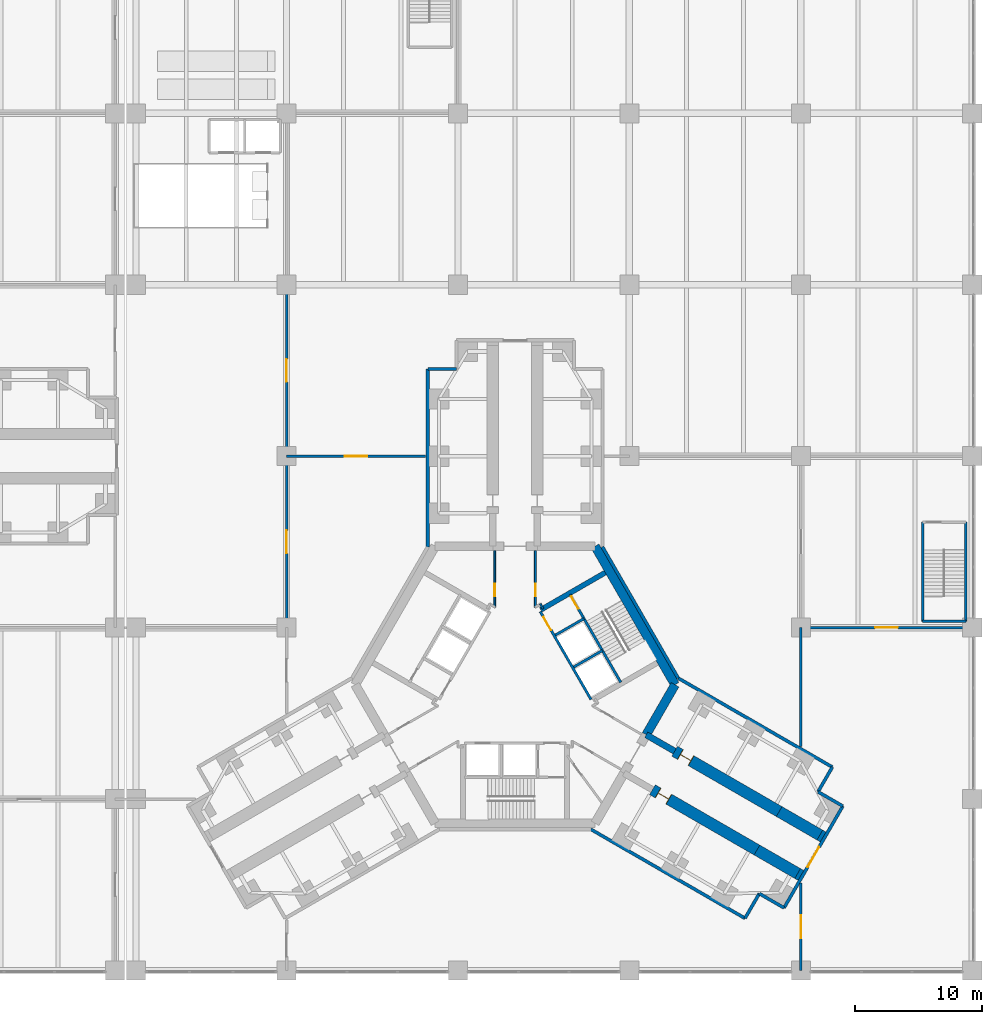
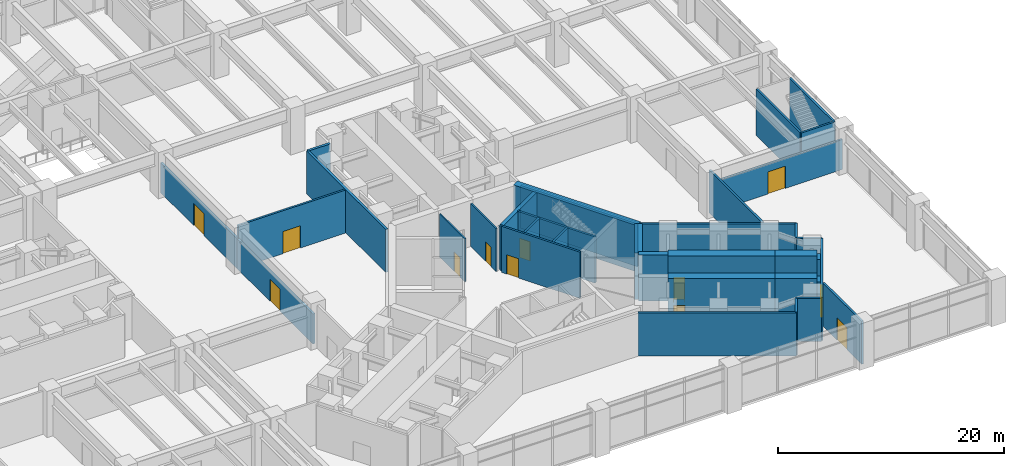
# One storey, part 26 of 32: 36 walls, 12 doors, 12 openings.
"""IFC4 building model written with IfcOpenShell, lengths in metres."""

from ifc_helpers import new_model, si_unit, direction, frame, frame_2d, origin, place, context, subcontext, project, spatial, rectangle, extrude, material, layer, layer_set, type_object, element, fill, save


model = new_model("IFC4")

# Units and contexts
model_context = context("Model", 3, precision=1e-05, world=origin(), true_north=direction((0.0, 1.0)))
body_context = subcontext(model_context, "Body", "Model", "MODEL_VIEW")
ifc_project = project(units=[si_unit("LENGTHUNIT", "METRE"), si_unit("AREAUNIT", "SQUARE_METRE"), si_unit("VOLUMEUNIT", "CUBIC_METRE"), si_unit("PLANEANGLEUNIT", "RADIAN"), si_unit("MASSUNIT", "GRAM", prefix="KILO")], contexts=[model_context])

# Site, building, storey
site_placement = place(None, origin())
site = spatial("IfcSite", under=ifc_project, at=site_placement, CompositionType="ELEMENT")
building_placement = place(site_placement, origin())
building = spatial("IfcBuilding", under=site, at=building_placement, Name="Upepo Twin Towers", CompositionType="ELEMENT")
storey_placement = place(building_placement, frame((0.0, 0.0, 5.5)))
storey = spatial("IfcBuildingStorey", under=building, at=storey_placement, Name="L01", CompositionType="ELEMENT", Elevation=5.5)

# Walls
ifc_material_1 = material(Name="Dense concrete blockwork", Category="masonry")
ifc_layer_1 = layer(ifc_material_1, 0.89990234375)
ifc_layer_set_1 = layer_set([ifc_layer_1], Name="Buttress closer 900, blockwork with fire-stopping to the curtain wall")
wall_type_1 = type_object("IfcWallType", Name="Buttress closer 900, blockwork with fire-stopping to the curtain wall", PredefinedType="PARTITIONING", material=ifc_layer_set_1)
wall_1_placement = place(storey_placement, frame((82.497802734375, -29.83447265625, 0.0), z_axis=(0.0, 0.0, 1.0), x_axis=(0.866131372301, -0.499816412211, 0.0)))
element("IfcWall", 1, at=wall_1_placement, inside=storey, type_object=wall_type_1, Name="T2 L01 wing C buttress closer L", PredefinedType="PARTITIONING", context=body_context, shape_type="SweptSolid", body=[
    extrude(rectangle(XDim=0.2998046875, YDim=0.89990234375, at=frame_2d((0.14990234375, 0.0))), origin(), (0.0, 0.0, 1.0), 4.64990234375),
])
wall_2_placement = place(storey_placement, frame((80.747802734375, -32.865478515625, 0.0), z_axis=(0.0, 0.0, 1.0), x_axis=(0.865778900179, -0.500426713919, 0.0)))
element("IfcWall", 2, at=wall_2_placement, inside=storey, type_object=wall_type_1, Name="T2 L01 wing C buttress closer R", PredefinedType="PARTITIONING", context=body_context, shape_type="SweptSolid", body=[
    extrude(rectangle(XDim=0.300048828125, YDim=0.89990234375, at=frame_2d((0.14990234375, 0.0))), origin(), (0.0, 0.0, 1.0), 4.64990234375),
])
ifc_material_2 = material(Name="Concrete C60/75", Category="concrete")
ifc_layer_2 = layer(ifc_material_2, 0.5)
ifc_layer_set_2 = layer_set([ifc_layer_2], Name="Concrete C60/75")
wall_type_2 = type_object("IfcWallType", Name="Buttress wall 500 RC", PredefinedType="SHEAR", material=ifc_layer_set_2)
wall_3_placement = place(storey_placement, frame((68.82177734375, -21.938720703125, 0.0), z_axis=(0.0, 0.0, 1.0), x_axis=(0.866072649678, -0.499918158782, 0.0)))
element("IfcWall", 3, at=wall_3_placement, inside=storey, type_object=wall_type_2, Name="T2 wing C buttress wall L", PredefinedType="SHEAR", context=body_context, shape_type="SweptSolid", body=[
    extrude(rectangle(XDim=2.591796875, YDim=0.5, at=frame_2d((1.2958984375, 0.0))), origin(), (0.0, 0.0, 1.0), 5.0),
])

# Wall, opening, door
ifc_material_3 = material(Name="Concrete C60/75", Category="concrete")
ifc_layer_3 = layer(ifc_material_3, 0.89990234375)
ifc_layer_set_3 = layer_set([ifc_layer_3], Name="Concrete C60/75")
wall_type_3 = type_object("IfcWallType", Name="Buttress wall 900 RC", PredefinedType="SHEAR", material=ifc_layer_set_3)
wall_4_placement = place(storey_placement, frame((71.06640625, -23.234375, 0.0), z_axis=(0.0, 0.0, 1.0), x_axis=(0.86602681393, -0.499997557548, 0.0)))
wall_4 = element("IfcWall", 4, at=wall_4_placement, inside=storey, type_object=wall_type_3, Name="T2 wing C buttress wall L part 2", PredefinedType="SHEAR", context=body_context, shape_type="SweptSolid", body=[
    extrude(rectangle(XDim=9.5, YDim=0.89990234375, at=frame_2d((4.75, 0.0))), origin(), (0.0, 0.0, 1.0), 5.0),
])
opening_1_placement = place(wall_4_placement, frame((0.5, 0.0, 0.0)))
opening_1 = element("IfcOpeningElement", 5, at=opening_1_placement, cuts=wall_4, Name="Opening D1", PredefinedType="OPENING", context=body_context, shape_type="SweptSolid", body=[
    extrude(rectangle(XDim=1.0, YDim=2.10009765625, at=frame_2d((0.5, 1.050048828125))), frame((0.0, 0.4599609375, 0.0), z_axis=(0.0, -1.0, 0.0), x_axis=(1.0, 0.0, 0.0)), (0.0, 0.0, 1.0), 0.919921875),
])
ifc_material_4 = material(Name="Timber doorset", Category="wood")
door_type_1 = type_object("IfcDoorType", Name="Room door 1000 FD30", OperationType="SINGLE_SWING_LEFT", PredefinedType="DOOR", material=ifc_material_4)
door_1_placement = place(opening_1_placement, origin())
door_1 = element("IfcDoor", 6, at=door_1_placement, inside=storey, type_object=door_type_1, Name="T2 L01 faculty office door", OperationType="SINGLE_SWING_LEFT", OverallHeight=2.10009765625, OverallWidth=1.0, PredefinedType="DOOR", context=body_context, shape_type="SweptSolid", body=[
    extrude(rectangle(XDim=0.92, YDim=2.06009765625, at=frame_2d((0.5, 1.030029296875))), frame((0.0, 0.02490234375, 0.0), z_axis=(0.0, -1.0, 0.0), x_axis=(1.0, 0.0, 0.0)), (0.0, 0.0, 1.0), 0.050048828125),
    extrude(rectangle(XDim=0.04, YDim=2.10009765625, at=frame_2d((0.02001953125, 1.050048828125))), frame((0.0, 0.44970703125, 0.0), z_axis=(0.0, -1.0, 0.0), x_axis=(1.0, 0.0, 0.0)), (0.0, 0.0, 1.0), 0.8994140625),
    extrude(rectangle(XDim=0.04, YDim=2.10009765625, at=frame_2d((0.97998046875, 1.050048828125))), frame((0.0, 0.44970703125, 0.0), z_axis=(0.0, -1.0, 0.0), x_axis=(1.0, 0.0, 0.0)), (0.0, 0.0, 1.0), 0.8994140625),
    extrude(rectangle(XDim=0.92, YDim=0.04, at=frame_2d((0.5, 2.080078125))), frame((0.0, 0.44970703125, 0.0), z_axis=(0.0, -1.0, 0.0), x_axis=(1.0, 0.0, 0.0)), (0.0, 0.0, 1.0), 0.8994140625),
])
fill(opening_1, door_1)

# Wall
wall_5_placement = place(storey_placement, frame((79.293701171875, -27.984375, 0.0), z_axis=(0.0, 0.0, 1.0), x_axis=(0.866000971088, -0.500042316284, 0.0)))
element("IfcWall", 7, at=wall_5_placement, inside=storey, type_object=wall_type_3, Name="T2 wing C buttress wall L part 3", PredefinedType="SHEAR", context=body_context, shape_type="SweptSolid", body=[
    extrude(rectangle(XDim=3.699951171875, YDim=0.89990234375, at=frame_2d((1.85009765625, 0.0))), origin(), (0.0, 0.0, 1.0), 5.0),
])

# Wall, opening, door
wall_6_placement = place(storey_placement, frame((69.31640625, -26.265625, 0.0), z_axis=(0.0, 0.0, 1.0), x_axis=(0.86602681393, -0.499997557548, 0.0)))
wall_6 = element("IfcWall", 8, at=wall_6_placement, inside=storey, type_object=wall_type_3, Name="T2 wing C buttress wall R part 2", PredefinedType="SHEAR", context=body_context, shape_type="SweptSolid", body=[
    extrude(rectangle(XDim=9.5, YDim=0.89990234375, at=frame_2d((4.75, 0.0))), origin(), (0.0, 0.0, 1.0), 5.0),
])
opening_2_placement = place(wall_6_placement, frame((0.5, 0.0, 0.0)))
opening_2 = element("IfcOpeningElement", 9, at=opening_2_placement, cuts=wall_6, Name="Opening D1", PredefinedType="OPENING", context=body_context, shape_type="SweptSolid", body=[
    extrude(rectangle(XDim=1.0, YDim=2.10009765625, at=frame_2d((0.5, 1.050048828125))), frame((0.0, 0.4599609375, 0.0), z_axis=(0.0, -1.0, 0.0), x_axis=(1.0, 0.0, 0.0)), (0.0, 0.0, 1.0), 0.919921875),
])
door_2_placement = place(opening_2_placement, origin())
door_2 = element("IfcDoor", 10, at=door_2_placement, inside=storey, type_object=door_type_1, Name="T2 L01 faculty office door", OperationType="SINGLE_SWING_LEFT", OverallHeight=2.10009765625, OverallWidth=1.0, PredefinedType="DOOR", context=body_context, shape_type="SweptSolid", body=[
    extrude(rectangle(XDim=0.92, YDim=2.06009765625, at=frame_2d((0.5, 1.030029296875))), frame((0.0, 0.02490234375, 0.0), z_axis=(0.0, -1.0, 0.0), x_axis=(1.0, 0.0, 0.0)), (0.0, 0.0, 1.0), 0.050048828125),
    extrude(rectangle(XDim=0.04, YDim=2.10009765625, at=frame_2d((0.02001953125, 1.050048828125))), frame((0.0, 0.44970703125, 0.0), z_axis=(0.0, -1.0, 0.0), x_axis=(1.0, 0.0, 0.0)), (0.0, 0.0, 1.0), 0.8994140625),
    extrude(rectangle(XDim=0.04, YDim=2.10009765625, at=frame_2d((0.97998046875, 1.050048828125))), frame((0.0, 0.44970703125, 0.0), z_axis=(0.0, -1.0, 0.0), x_axis=(1.0, 0.0, 0.0)), (0.0, 0.0, 1.0), 0.8994140625),
    extrude(rectangle(XDim=0.92, YDim=0.04, at=frame_2d((0.5, 2.080078125))), frame((0.0, 0.44970703125, 0.0), z_axis=(0.0, -1.0, 0.0), x_axis=(1.0, 0.0, 0.0)), (0.0, 0.0, 1.0), 0.8994140625),
])
fill(opening_2, door_2)

# Walls
wall_7_placement = place(storey_placement, frame((77.543701171875, -31.015625, 0.0), z_axis=(0.0, 0.0, 1.0), x_axis=(0.866029545028, -0.499992827086, 0.0)))
element("IfcWall", 11, at=wall_7_placement, inside=storey, type_object=wall_type_3, Name="T2 wing C buttress wall R part 3", PredefinedType="SHEAR", context=body_context, shape_type="SweptSolid", body=[
    extrude(rectangle(XDim=3.69970703125, YDim=0.89990234375, at=frame_2d((1.849853515625, 0.0))), origin(), (0.0, 0.0, 1.0), 5.0),
])
ifc_material_5 = material(Name="Concrete C60/75", Category="concrete")
ifc_layer_4 = layer(ifc_material_5, 0.699951171875)
ifc_layer_set_4 = layer_set([ifc_layer_4], Name="Concrete C60/75")
wall_type_4 = type_object("IfcWallType", Name="Core wall 700 RC", PredefinedType="SHEAR", material=ifc_layer_set_4)
wall_8_placement = place(storey_placement, frame((68.82177734375, -21.938720703125, 0.0), z_axis=(0.0, 0.0, 1.0), x_axis=(0.500024481964, 0.866011268655, 0.0)))
element("IfcWall", 12, at=wall_8_placement, inside=storey, type_object=wall_type_4, Name="T2 core wall 240 L", PredefinedType="SHEAR", context=body_context, shape_type="SweptSolid", body=[
    extrude(rectangle(XDim=4.548095703125, YDim=0.699951171875, at=frame_2d((2.27392578125, 0.0))), origin(), (0.0, 0.0, 1.0), 5.0),
])
wall_9_placement = place(storey_placement, frame((71.095947265625, -18.0, 0.0), z_axis=(0.0, 0.0, 1.0), x_axis=(-0.500005998175, 0.866021940709, 0.0)))
element("IfcWall", 13, at=wall_9_placement, inside=storey, type_object=wall_type_4, Name="T2 core wall 300", PredefinedType="SHEAR", context=body_context, shape_type="SweptSolid", body=[
    extrude(rectangle(XDim=12.595947265625, YDim=0.699951171875, at=frame_2d((6.2978515625, 0.0))), origin(), (0.0, 0.0, 1.0), 5.0),
])

# Wall, opening, door
ifc_material_6 = material(Name="Concrete blockwork", Category="masonry")
ifc_layer_5 = layer(ifc_material_6, 0.199951171875)
ifc_layer_set_5 = layer_set([ifc_layer_5], Name="Podium partition 200 blockwork")
wall_type_5 = type_object("IfcWallType", Name="Podium partition 200 blockwork", PredefinedType="PARTITIONING", material=ifc_layer_set_5)
wall_10_placement = place(storey_placement, frame((40.5, -13.5, 0.0), z_axis=(0.0, 0.0, 1.0), x_axis=(0.0, 1.0, 0.0)))
wall_10 = element("IfcWall", 14, at=wall_10_placement, inside=storey, type_object=wall_type_5, Name="L01 podium wall X52", PredefinedType="PARTITIONING", context=body_context, shape_type="SweptSolid", body=[
    extrude(rectangle(XDim=13.5, YDim=0.199951171875, at=frame_2d((6.75, 0.0))), origin(), (0.0, 0.0, 1.0), 3.25),
])
opening_3_placement = place(wall_10_placement, frame((5.85009765625, 0.0, 0.0)))
opening_3 = element("IfcOpeningElement", 15, at=opening_3_placement, cuts=wall_10, Name="Opening D10", PredefinedType="OPENING", context=body_context, shape_type="SweptSolid", body=[
    extrude(rectangle(XDim=1.800048828125, YDim=2.39990234375, at=frame_2d((0.89990234375, 1.199951171875))), frame((0.0, 0.10986328125, 0.0), z_axis=(0.0, -1.0, 0.0), x_axis=(1.0, 0.0, 0.0)), (0.0, 0.0, 1.0), 0.219970703125),
])
ifc_material_7 = material(Name="Timber doorset", Category="wood")
door_type_2 = type_object("IfcDoorType", Name="Podium double door 1800", OperationType="DOUBLE_DOOR_DOUBLE_SWING", PredefinedType="DOOR", material=ifc_material_7)
door_3_placement = place(opening_3_placement, origin())
door_3 = element("IfcDoor", 16, at=door_3_placement, inside=storey, type_object=door_type_2, Name="L01 library stacks 1.01 annex 3 door", OperationType="DOUBLE_DOOR_DOUBLE_SWING", OverallHeight=2.39990234375, OverallWidth=1.800048828125, PredefinedType="DOOR", context=body_context, shape_type="SweptSolid", body=[
    extrude(rectangle(XDim=1.800048828125, YDim=2.39990234375, at=frame_2d((0.89990234375, 1.199951171875))), frame((0.0, 0.02490234375, 0.0), z_axis=(0.0, -1.0, 0.0), x_axis=(1.0, 0.0, 0.0)), (0.0, 0.0, 1.0), 0.050048828125),
])
fill(opening_3, door_3)

wall_11_placement = place(storey_placement, frame((40.5, 0.0, 0.0), z_axis=(0.0, 0.0, 1.0), x_axis=(0.0, 1.0, 0.0)))
wall_11 = element("IfcWall", 17, at=wall_11_placement, inside=storey, type_object=wall_type_5, Name="L01 podium wall X53", PredefinedType="PARTITIONING", context=body_context, shape_type="SweptSolid", body=[
    extrude(rectangle(XDim=13.5, YDim=0.199951171875, at=frame_2d((6.75, 0.0))), origin(), (0.0, 0.0, 1.0), 3.25),
])
opening_4_placement = place(wall_11_placement, frame((5.85009765625, 0.0, 0.0)))
opening_4 = element("IfcOpeningElement", 18, at=opening_4_placement, cuts=wall_11, Name="Opening D10", PredefinedType="OPENING", context=body_context, shape_type="SweptSolid", body=[
    extrude(rectangle(XDim=1.800048828125, YDim=2.39990234375, at=frame_2d((0.89990234375, 1.199951171875))), frame((0.0, 0.10986328125, 0.0), z_axis=(0.0, -1.0, 0.0), x_axis=(1.0, 0.0, 0.0)), (0.0, 0.0, 1.0), 0.219970703125),
])
door_4_placement = place(opening_4_placement, origin())
door_4 = element("IfcDoor", 19, at=door_4_placement, inside=storey, type_object=door_type_2, Name="L01 library reading room door", OperationType="DOUBLE_DOOR_DOUBLE_SWING", OverallHeight=2.39990234375, OverallWidth=1.800048828125, PredefinedType="DOOR", context=body_context, shape_type="SweptSolid", body=[
    extrude(rectangle(XDim=1.800048828125, YDim=2.39990234375, at=frame_2d((0.89990234375, 1.199951171875))), frame((0.0, 0.02490234375, 0.0), z_axis=(0.0, -1.0, 0.0), x_axis=(1.0, 0.0, 0.0)), (0.0, 0.0, 1.0), 0.050048828125),
])
fill(opening_4, door_4)

wall_12_placement = place(storey_placement, frame((40.5, 0.0, 0.0), z_axis=(0.0, 0.0, 1.0), x_axis=(1.0, 0.0, 0.0)))
wall_12 = element("IfcWall", 20, at=wall_12_placement, inside=storey, type_object=wall_type_5, Name="L01 podium wall Y53", PredefinedType="PARTITIONING", context=body_context, shape_type="SweptSolid", body=[
    extrude(rectangle(XDim=10.949951171875, YDim=0.199951171875, at=frame_2d((5.47509765625, 0.0))), origin(), (0.0, 0.0, 1.0), 4.64990234375),
])
opening_5_placement = place(wall_12_placement, frame((4.574951171875, 0.0, 0.0)))
opening_5 = element("IfcOpeningElement", 21, at=opening_5_placement, cuts=wall_12, Name="Opening D10", PredefinedType="OPENING", context=body_context, shape_type="SweptSolid", body=[
    extrude(rectangle(XDim=1.800048828125, YDim=2.39990234375, at=frame_2d((0.89990234375, 1.199951171875))), frame((0.0, 0.10986328125, 0.0), z_axis=(0.0, -1.0, 0.0), x_axis=(1.0, 0.0, 0.0)), (0.0, 0.0, 1.0), 0.219970703125),
])
door_5_placement = place(opening_5_placement, origin())
door_5 = element("IfcDoor", 22, at=door_5_placement, inside=storey, type_object=door_type_2, Name="L01 library stacks 1.01-library reading room door", OperationType="DOUBLE_DOOR_DOUBLE_SWING", OverallHeight=2.39990234375, OverallWidth=1.800048828125, PredefinedType="DOOR", context=body_context, shape_type="SweptSolid", body=[
    extrude(rectangle(XDim=1.800048828125, YDim=2.39990234375, at=frame_2d((0.89990234375, 1.199951171875))), frame((0.0, 0.02490234375, 0.0), z_axis=(0.0, -1.0, 0.0), x_axis=(1.0, 0.0, 0.0)), (0.0, 0.0, 1.0), 0.050048828125),
])
fill(opening_5, door_5)

wall_13_placement = place(storey_placement, frame((81.0, -40.5, 0.0), z_axis=(0.0, 0.0, 1.0), x_axis=(0.0, 1.0, 0.0)))
wall_13 = element("IfcWall", 23, at=wall_13_placement, inside=storey, type_object=wall_type_5, Name="L01 podium wall X80", PredefinedType="PARTITIONING", context=body_context, shape_type="SweptSolid", body=[
    extrude(rectangle(XDim=6.87109375, YDim=0.199951171875, at=frame_2d((3.435546875, 0.0))), origin(), (0.0, 0.0, 1.0), 4.64990234375),
])
opening_6_placement = place(wall_13_placement, frame((2.53564453125, 0.0, 0.0)))
opening_6 = element("IfcOpeningElement", 24, at=opening_6_placement, cuts=wall_13, Name="Opening D10", PredefinedType="OPENING", context=body_context, shape_type="SweptSolid", body=[
    extrude(rectangle(XDim=1.800048828125, YDim=2.39990234375, at=frame_2d((0.89990234375, 1.199951171875))), frame((0.0, 0.10986328125, 0.0), z_axis=(0.0, -1.0, 0.0), x_axis=(1.0, 0.0, 0.0)), (0.0, 0.0, 1.0), 0.219970703125),
])
door_6_placement = place(opening_6_placement, origin())
door_6 = element("IfcDoor", 25, at=door_6_placement, inside=storey, type_object=door_type_2, Name="L01 library stacks 1.01-research offices 1.01 door", OperationType="DOUBLE_DOOR_DOUBLE_SWING", OverallHeight=2.39990234375, OverallWidth=1.800048828125, PredefinedType="DOOR", context=body_context, shape_type="SweptSolid", body=[
    extrude(rectangle(XDim=1.800048828125, YDim=2.39990234375, at=frame_2d((0.89990234375, 1.199951171875))), frame((0.0, 0.02490234375, 0.0), z_axis=(0.0, -1.0, 0.0), x_axis=(1.0, 0.0, 0.0)), (0.0, 0.0, 1.0), 0.050048828125),
])
fill(opening_6, door_6)

# Wall
wall_14_placement = place(storey_placement, frame((81.0, -22.849853515625, 0.0), z_axis=(0.0, 0.0, 1.0), x_axis=(0.0, 1.0, 0.0)))
element("IfcWall", 26, at=wall_14_placement, inside=storey, type_object=wall_type_5, Name="L01 podium wall X81", PredefinedType="PARTITIONING", context=body_context, shape_type="SweptSolid", body=[
    extrude(rectangle(XDim=9.349853515625, YDim=0.199951171875, at=frame_2d((4.6748046875, 0.0))), origin(), (0.0, 0.0, 1.0), 4.64990234375),
])

# Wall, opening, door
wall_15_placement = place(storey_placement, frame((81.0, -13.5, 0.0), z_axis=(0.0, 0.0, 1.0), x_axis=(1.0, 0.0, 0.0)))
wall_15 = element("IfcWall", 27, at=wall_15_placement, inside=storey, type_object=wall_type_5, Name="L01 podium wall Y82", PredefinedType="PARTITIONING", context=body_context, shape_type="SweptSolid", body=[
    extrude(rectangle(XDim=13.5, YDim=0.199951171875, at=frame_2d((6.75, 0.0))), origin(), (0.0, 0.0, 1.0), 3.25),
])
opening_7_placement = place(wall_15_placement, frame((5.85009765625, 0.0, 0.0)))
opening_7 = element("IfcOpeningElement", 28, at=opening_7_placement, cuts=wall_15, Name="Opening D10", PredefinedType="OPENING", context=body_context, shape_type="SweptSolid", body=[
    extrude(rectangle(XDim=1.800048828125, YDim=2.39990234375, at=frame_2d((0.89990234375, 1.199951171875))), frame((0.0, 0.10986328125, 0.0), z_axis=(0.0, -1.0, 0.0), x_axis=(1.0, 0.0, 0.0)), (0.0, 0.0, 1.0), 0.219970703125),
])
door_7_placement = place(opening_7_placement, origin())
door_7 = element("IfcDoor", 29, at=door_7_placement, inside=storey, type_object=door_type_2, Name="L01 research offices 1.01 door", OperationType="DOUBLE_DOOR_DOUBLE_SWING", OverallHeight=2.39990234375, OverallWidth=1.800048828125, PredefinedType="DOOR", context=body_context, shape_type="SweptSolid", body=[
    extrude(rectangle(XDim=1.800048828125, YDim=2.39990234375, at=frame_2d((0.89990234375, 1.199951171875))), frame((0.0, 0.02490234375, 0.0), z_axis=(0.0, -1.0, 0.0), x_axis=(1.0, 0.0, 0.0)), (0.0, 0.0, 1.0), 0.050048828125),
])
fill(opening_7, door_7)

# Walls
ifc_material_8 = material(Name="Concrete C40/50", Category="concrete")
ifc_layer_6 = layer(ifc_material_8, 0.199951171875)
ifc_layer_set_6 = layer_set([ifc_layer_6], Name="Concrete C40/50")
wall_type_6 = type_object("IfcWallType", Name="Podium stair enclosure 200 RC", PredefinedType="SHEAR", material=ifc_layer_set_6)
wall_16_placement = place(storey_placement, frame((90.60009765625, -13.0, 0.0), z_axis=(0.0, 0.0, 1.0), x_axis=(1.0, 0.0, 0.0)))
element("IfcWall", 30, at=wall_16_placement, inside=storey, type_object=wall_type_6, Name="PS2 L01 enclosure wall 1", PredefinedType="SHEAR", context=body_context, shape_type="SweptSolid", body=[
    extrude(rectangle(XDim=3.39990234375, YDim=0.199951171875, at=frame_2d((1.699951171875, 0.0))), origin(), (0.0, 0.0, 1.0), 5.0),
])
for number, where, z_axis, x_axis, name in (
    (31, (94.0, -13.0, 0.0), (0.0, 0.0, 1.0), (0.0, 1.0, 0.0), "PS2 L01 enclosure wall 2"),
    (32, (90.60009765625, -5.199951171875, 0.0), (0.0, 0.0, 1.0), (0.0, -1.0, 0.0), "PS2 L01 enclosure wall 4"),
):
    element("IfcWall", number, at=place(storey_placement, frame(where, z_axis=z_axis, x_axis=x_axis)), inside=storey, type_object=wall_type_6, Name=name, PredefinedType="SHEAR", context=body_context, shape_type="SweptSolid", body=[
        extrude(rectangle(XDim=7.800048828125, YDim=0.199951171875, at=frame_2d((3.89990234375, 0.0))), origin(), (0.0, 0.0, 1.0), 5.0),
    ])

# Wall, opening, door
ifc_material_9 = material(Name="Concrete C40/50", Category="concrete")
ifc_layer_7 = layer(ifc_material_9, 0.199951171875)
ifc_layer_set_7 = layer_set([ifc_layer_7], Name="Concrete C40/50")
wall_type_7 = type_object("IfcWallType", Name="Shaft wall 200 RC", PredefinedType="SHEAR", material=ifc_layer_set_7)
wall_17_placement = place(storey_placement, frame((64.483642578125, -19.1640625, 0.0), z_axis=(0.0, 0.0, 1.0), x_axis=(-0.49999894854, 0.866026010844, 0.0)))
wall_17 = element("IfcWall", 33, at=wall_17_placement, inside=storey, type_object=wall_type_7, Name="T2 core W300 front wall", PredefinedType="SHEAR", context=body_context, shape_type="SweptSolid", body=[
    extrude(rectangle(XDim=8.0, YDim=0.199951171875, at=frame_2d((4.0, 0.0))), origin(), (0.0, 0.0, 1.0), 5.0),
])
opening_8_placement = place(wall_17_placement, frame((6.300048828125, 0.0, 0.0)))
opening_8 = element("IfcOpeningElement", 34, at=opening_8_placement, cuts=wall_17, Name="Opening D4", PredefinedType="OPENING", context=body_context, shape_type="SweptSolid", body=[
    extrude(rectangle(XDim=1.199951171875, YDim=2.10009765625, at=frame_2d((0.60009765625, 1.050048828125))), frame((0.0, 0.10986328125, 0.0), z_axis=(0.0, -1.0, 0.0), x_axis=(1.0, 0.0, 0.0)), (0.0, 0.0, 1.0), 0.219970703125),
])
ifc_material_10 = material(Name="Timber doorset", Category="wood")
door_type_3 = type_object("IfcDoorType", Name="Lobby door 1200 FD60", OperationType="SINGLE_SWING_LEFT", PredefinedType="DOOR", material=ifc_material_10)
door_8_placement = place(opening_8_placement, origin())
door_8 = element("IfcDoor", 35, at=door_8_placement, inside=storey, type_object=door_type_3, Name="T2 L01 W300 lobby door", OperationType="SINGLE_SWING_RIGHT", OverallHeight=2.10009765625, OverallWidth=1.199951171875, PredefinedType="DOOR", context=body_context, shape_type="SweptSolid", body=[
    extrude(rectangle(XDim=1.199951171875, YDim=2.10009765625, at=frame_2d((0.60009765625, 1.050048828125))), frame((0.0, 0.02490234375, 0.0), z_axis=(0.0, -1.0, 0.0), x_axis=(1.0, 0.0, 0.0)), (0.0, 0.0, 1.0), 0.050048828125),
])
fill(opening_8, door_8)

# Walls
wall_18_placement = place(storey_placement, frame((63.120361328125, -16.6025390625, 0.0), z_axis=(0.0, 0.0, 1.0), x_axis=(0.866062058628, 0.499936506574, 0.0)))
element("IfcWall", 36, at=wall_18_placement, inside=storey, type_object=wall_type_7, Name="T2 core W300 shaft divider", PredefinedType="SHEAR", context=body_context, shape_type="SweptSolid", body=[
    extrude(rectangle(XDim=2.599853515625, YDim=0.199951171875, at=frame_2d((1.2998046875, 0.0))), origin(), (0.0, 0.0, 1.0), 5.0),
])
wall_19_placement = place(storey_placement, frame((61.67041015625, -14.091064453125, 0.0), z_axis=(0.0, 0.0, 1.0), x_axis=(0.86603858612, 0.49997716683, 0.0)))
element("IfcWall", 37, at=wall_19_placement, inside=storey, type_object=wall_type_7, Name="T2 core W300 lobby wall", PredefinedType="SHEAR", context=body_context, shape_type="SweptSolid", body=[
    extrude(rectangle(XDim=2.599609375, YDim=0.199951171875, at=frame_2d((1.2998046875, 0.0))), origin(), (0.0, 0.0, 1.0), 5.0),
])

# Wall, opening, door
wall_20_placement = place(storey_placement, frame((66.822021484375, -17.814208984375, 0.0), z_axis=(0.0, 0.0, 1.0), x_axis=(-0.49999894854, 0.866026010844, 0.0)))
wall_20 = element("IfcWall", 38, at=wall_20_placement, inside=storey, type_object=wall_type_7, Name="T2 core W300 stair wall", PredefinedType="SHEAR", context=body_context, shape_type="SweptSolid", body=[
    extrude(rectangle(XDim=8.0, YDim=0.199951171875, at=frame_2d((4.0, 0.0))), origin(), (0.0, 0.0, 1.0), 5.0),
])
opening_9_placement = place(wall_20_placement, frame((6.699951171875, 0.0, 0.0)))
opening_9 = element("IfcOpeningElement", 39, at=opening_9_placement, cuts=wall_20, Name="Opening D3", PredefinedType="OPENING", context=body_context, shape_type="SweptSolid", body=[
    extrude(rectangle(XDim=1.10009765625, YDim=2.10009765625, at=frame_2d((0.550048828125, 1.050048828125))), frame((0.0, 0.10986328125, 0.0), z_axis=(0.0, -1.0, 0.0), x_axis=(1.0, 0.0, 0.0)), (0.0, 0.0, 1.0), 0.219970703125),
])
ifc_material_11 = material(Name="Timber doorset", Category="wood")
door_type_4 = type_object("IfcDoorType", Name="Stair door 1100 FD60", OperationType="SINGLE_SWING_LEFT", PredefinedType="DOOR", material=ifc_material_11)
door_9_placement = place(opening_9_placement, origin())
door_9 = element("IfcDoor", 40, at=door_9_placement, inside=storey, type_object=door_type_4, Name="T2 L01 stair door", OperationType="SINGLE_SWING_RIGHT", OverallHeight=2.10009765625, OverallWidth=1.10009765625, PredefinedType="DOOR", context=body_context, shape_type="SweptSolid", body=[
    extrude(rectangle(XDim=1.10009765625, YDim=2.10009765625, at=frame_2d((0.550048828125, 1.050048828125))), frame((0.0, 0.02490234375, 0.0), z_axis=(0.0, -1.0, 0.0), x_axis=(1.0, 0.0, 0.0)), (0.0, 0.0, 1.0), 0.050048828125),
])
fill(opening_9, door_9)

# Wall
ifc_material_12 = material(Name="Concrete C40/50", Category="concrete")
ifc_layer_8 = layer(ifc_material_12, 0.39990234375)
ifc_layer_set_8 = layer_set([ifc_layer_8], Name="Concrete C40/50")
wall_type_8 = type_object("IfcWallType", Name="Shaft wall 400 RC", PredefinedType="SHEAR", material=ifc_layer_set_8)
wall_21_placement = place(storey_placement, frame((60.520263671875, -12.099365234375, 0.0), z_axis=(0.0, 0.0, 1.0), x_axis=(0.866023886965, 0.500002627198, 0.0)))
element("IfcWall", 41, at=wall_21_placement, inside=storey, type_object=wall_type_8, Name="T2 core W300 side wall N", PredefinedType="SHEAR", context=body_context, shape_type="SweptSolid", body=[
    extrude(rectangle(XDim=5.8583984375, YDim=0.39990234375, at=frame_2d((2.92919921875, 0.0))), origin(), (0.0, 0.0, 1.0), 5.0),
])

# Wall, opening, door
ifc_material_13 = material(Name="Gypsum board on steel studs", Category="steel")
ifc_layer_9 = layer(ifc_material_13, 0.14990234375)
ifc_layer_set_9 = layer_set([ifc_layer_9], Name="Teaching partition 150 acoustic")
wall_type_9 = type_object("IfcWallType", Name="Teaching partition 150 acoustic", PredefinedType="PARTITIONING", material=ifc_layer_set_9)
wall_22_placement = place(storey_placement, frame((56.89990234375, -11.900146484375, 0.0), z_axis=(0.0, 0.0, 1.0), x_axis=(0.0, 1.0, 0.0)))
wall_22 = element("IfcWall", 42, at=wall_22_placement, inside=storey, type_object=wall_type_9, Name="T2 core room partition 8", PredefinedType="PARTITIONING", context=body_context, shape_type="SweptSolid", body=[
    extrude(rectangle(XDim=4.468505859375, YDim=0.14990234375, at=frame_2d((2.234375, 0.0))), origin(), (0.0, 0.0, 1.0), 4.64990234375),
])
opening_10_placement = place(wall_22_placement, frame((0.854736328125, 0.0, 0.0)))
opening_10 = element("IfcOpeningElement", 43, at=opening_10_placement, cuts=wall_22, Name="Opening D1", PredefinedType="OPENING", context=body_context, shape_type="SweptSolid", body=[
    extrude(rectangle(XDim=1.0, YDim=2.10009765625, at=frame_2d((0.5, 1.050048828125))), frame((0.0, 0.0849609375, 0.0), z_axis=(0.0, -1.0, 0.0), x_axis=(1.0, 0.0, 0.0)), (0.0, 0.0, 1.0), 0.169921875),
])
door_10_placement = place(opening_10_placement, origin())
door_10 = element("IfcDoor", 44, at=door_10_placement, inside=storey, type_object=door_type_1, Name="T2 L01 core room door K7", OperationType="SINGLE_SWING_LEFT", OverallHeight=2.10009765625, OverallWidth=1.0, PredefinedType="DOOR", context=body_context, shape_type="SweptSolid", body=[
    extrude(rectangle(XDim=1.0, YDim=2.10009765625, at=frame_2d((0.5, 1.050048828125))), frame((0.0, 0.02490234375, 0.0), z_axis=(0.0, -1.0, 0.0), x_axis=(1.0, 0.0, 0.0)), (0.0, 0.0, 1.0), 0.050048828125),
])
fill(opening_10, door_10)

wall_23_placement = place(storey_placement, frame((60.10009765625, -7.431640625, 0.0), z_axis=(0.0, 0.0, 1.0), x_axis=(0.0, -1.0, 0.0)))
wall_23 = element("IfcWall", 45, at=wall_23_placement, inside=storey, type_object=wall_type_9, Name="T2 core room partition 9", PredefinedType="PARTITIONING", context=body_context, shape_type="SweptSolid", body=[
    extrude(rectangle(XDim=4.468505859375, YDim=0.14990234375, at=frame_2d((2.234375, 0.0))), origin(), (0.0, 0.0, 1.0), 4.64990234375),
])
opening_11_placement = place(wall_23_placement, frame((2.61376953125, 0.0, 0.0)))
opening_11 = element("IfcOpeningElement", 46, at=opening_11_placement, cuts=wall_23, Name="Opening D1", PredefinedType="OPENING", context=body_context, shape_type="SweptSolid", body=[
    extrude(rectangle(XDim=1.0, YDim=2.10009765625, at=frame_2d((0.5, 1.050048828125))), frame((0.0, 0.0849609375, 0.0), z_axis=(0.0, -1.0, 0.0), x_axis=(1.0, 0.0, 0.0)), (0.0, 0.0, 1.0), 0.169921875),
])
door_11_placement = place(opening_11_placement, origin())
door_11 = element("IfcDoor", 47, at=door_11_placement, inside=storey, type_object=door_type_1, Name="T2 L01 core room door K6", OperationType="SINGLE_SWING_RIGHT", OverallHeight=2.10009765625, OverallWidth=1.0, PredefinedType="DOOR", context=body_context, shape_type="SweptSolid", body=[
    extrude(rectangle(XDim=1.0, YDim=2.10009765625, at=frame_2d((0.5, 1.050048828125))), frame((0.0, 0.02490234375, 0.0), z_axis=(0.0, -1.0, 0.0), x_axis=(1.0, 0.0, 0.0)), (0.0, 0.0, 1.0), 0.050048828125),
])
fill(opening_11, door_11)

# Walls
wall_24_placement = place(storey_placement, frame((60.4833984375, -11.635498046875, 0.0), z_axis=(0.0, 0.0, 1.0), x_axis=(0.500230298122, -0.865892400268, 0.0)))
element("IfcWall", 48, at=wall_24_placement, inside=storey, type_object=wall_type_9, Name="T2 core room partition 11", PredefinedType="PARTITIONING", context=body_context, shape_type="SweptSolid", body=[
    extrude(rectangle(XDim=0.429931640625, YDim=0.14990234375, at=frame_2d((0.21484375, 0.0))), origin(), (0.0, 0.0, 1.0), 4.64990234375),
])
ifc_material_14 = material(Name="Concrete blockwork", Category="masonry")
ifc_layer_10 = layer(ifc_material_14, 0.25)
ifc_layer_set_10 = layer_set([ifc_layer_10], Name="Tower enclosure wall 250 blockwork")
wall_type_10 = type_object("IfcWallType", Name="Tower enclosure wall 250 blockwork", PredefinedType="STANDARD", material=ifc_layer_set_10)
wall_25_placement = place(storey_placement, frame((82.35498046875, -26.43212890625, 0.0), z_axis=(0.0, 0.0, 1.0), x_axis=(0.866017533419, -0.500013631625, 0.0)))
element("IfcWall", 49, at=wall_25_placement, inside=storey, type_object=wall_type_10, Name="T2 L01 enclosure wall 1", PredefinedType="STANDARD", context=body_context, shape_type="SweptSolid", body=[
    extrude(rectangle(XDim=2.25, YDim=0.25, at=frame_2d((1.125, 0.0))), origin(), (0.0, 0.0, 1.0), 4.64990234375),
])

# Wall, opening, door
wall_26_placement = place(storey_placement, frame((84.303466796875, -27.55712890625, 0.0), z_axis=(0.0, 0.0, 1.0), x_axis=(-0.499999662836, -0.866025598446, 0.0)))
wall_26 = element("IfcWall", 50, at=wall_26_placement, inside=storey, type_object=wall_type_10, Name="T2 L01 enclosure wall 2", PredefinedType="STANDARD", context=body_context, shape_type="SweptSolid", body=[
    extrude(rectangle(XDim=9.25, YDim=0.25, at=frame_2d((4.625, 0.0))), origin(), (0.0, 0.0, 1.0), 4.64990234375),
])
opening_12_placement = place(wall_26_placement, frame((3.72509765625, 0.0, 0.0)))
opening_12 = element("IfcOpeningElement", 51, at=opening_12_placement, cuts=wall_26, Name="Opening D2", PredefinedType="OPENING", context=body_context, shape_type="SweptSolid", body=[
    extrude(rectangle(XDim=1.800048828125, YDim=2.10009765625, at=frame_2d((0.89990234375, 1.050048828125))), frame((0.0, 0.135009765625, 0.0), z_axis=(0.0, -1.0, 0.0), x_axis=(1.0, 0.0, 0.0)), (0.0, 0.0, 1.0), 0.27001953125),
])
ifc_material_15 = material(Name="Timber doorset", Category="wood")
door_type_5 = type_object("IfcDoorType", Name="Corridor double door 1800 FD60", OperationType="DOUBLE_DOOR_DOUBLE_SWING", PredefinedType="DOOR", material=ifc_material_15)
door_12_placement = place(opening_12_placement, origin())
door_12 = element("IfcDoor", 52, at=door_12_placement, inside=storey, type_object=door_type_5, Name="T2 L01 wing C podium door", OperationType="DOUBLE_DOOR_DOUBLE_SWING", OverallHeight=2.10009765625, OverallWidth=1.800048828125, PredefinedType="DOOR", context=body_context, shape_type="SweptSolid", body=[
    extrude(rectangle(XDim=1.800048828125, YDim=2.10009765625, at=frame_2d((0.89990234375, 1.050048828125))), frame((0.0, 0.02490234375, 0.0), z_axis=(0.0, -1.0, 0.0), x_axis=(1.0, 0.0, 0.0)), (0.0, 0.0, 1.0), 0.050048828125),
])
fill(opening_12, door_12)

# Walls
for number, where, z_axis, x_axis, name in (
    (53, (79.678466796875, -35.56787109375, 0.0), (0.0, 0.0, 1.0), (-0.866017533419, 0.500013631625, 0.0), "T2 L01 enclosure wall 3"),
    (54, (77.72998046875, -34.44287109375, 0.0), (0.0, 0.0, 1.0), (-0.500013631625, -0.866017533419, 0.0), "T2 L01 enclosure wall 4"),
):
    element("IfcWall", number, at=place(storey_placement, frame(where, z_axis=z_axis, x_axis=x_axis)), inside=storey, type_object=wall_type_10, Name=name, PredefinedType="STANDARD", context=body_context, shape_type="SweptSolid", body=[
        extrude(rectangle(XDim=2.25, YDim=0.25, at=frame_2d((1.125, 0.0))), origin(), (0.0, 0.0, 1.0), 4.64990234375),
    ])
for number, where, z_axis, x_axis, name in (
    (55, (76.60498046875, -36.391357421875, 0.0), (0.0, 0.0, 1.0), (-0.866027500821, 0.499996367808, 0.0), "T2 L01 enclosure wall 5"),
    (56, (51.625, -7.14111328125, 0.0), (0.0, 0.0, 1.0), (0.0, 1.0, 0.0), "T2 L01 enclosure wall 15"),
):
    element("IfcWall", number, at=place(storey_placement, frame(where, z_axis=z_axis, x_axis=x_axis)), inside=storey, type_object=wall_type_10, Name=name, PredefinedType="STANDARD", context=body_context, shape_type="SweptSolid", body=[
        extrude(rectangle(XDim=14.01611328125, YDim=0.25, at=frame_2d((7.008056640625, 0.0))), origin(), (0.0, 0.0, 1.0), 4.64990234375),
    ])
wall_27_placement = place(storey_placement, frame((51.625, 6.875, 0.0), z_axis=(0.0, 0.0, 1.0), x_axis=(1.0, 0.0, 0.0)))
element("IfcWall", 57, at=wall_27_placement, inside=storey, type_object=wall_type_10, Name="T2 L01 enclosure wall 16", PredefinedType="STANDARD", context=body_context, shape_type="SweptSolid", body=[
    extrude(rectangle(XDim=2.25, YDim=0.25, at=frame_2d((1.125, 0.0))), origin(), (0.0, 0.0, 1.0), 4.64990234375),
])
wall_28_placement = place(storey_placement, frame((65.375, -7.14111328125, 0.0), z_axis=(0.0, 0.0, 1.0), x_axis=(0.499996365031, -0.866027502425, 0.0)))
element("IfcWall", 58, at=wall_28_placement, inside=storey, type_object=wall_type_10, Name="T2 L01 enclosure wall 22", PredefinedType="STANDARD", context=body_context, shape_type="SweptSolid", body=[
    extrude(rectangle(XDim=11.93310546875, YDim=0.25, at=frame_2d((5.966552734375, 0.0))), origin(), (0.0, 0.0, 1.0), 4.64990234375),
])
wall_29_placement = place(storey_placement, frame((71.341552734375, -17.4755859375, 0.0), z_axis=(0.0, 0.0, 1.0), x_axis=(0.866027500821, -0.499996367808, 0.0)))
element("IfcWall", 59, at=wall_29_placement, inside=storey, type_object=wall_type_10, Name="T2 L01 enclosure wall 23", PredefinedType="STANDARD", context=body_context, shape_type="SweptSolid", body=[
    extrude(rectangle(XDim=14.01611328125, YDim=0.25, at=frame_2d((7.008056640625, 0.0))), origin(), (0.0, 0.0, 1.0), 4.64990234375),
])
wall_30_placement = place(storey_placement, frame((83.47998046875, -24.483642578125, 0.0), z_axis=(0.0, 0.0, 1.0), x_axis=(-0.500013631625, -0.866017533419, 0.0)))
element("IfcWall", 60, at=wall_30_placement, inside=storey, type_object=wall_type_10, Name="T2 L01 enclosure wall 24", PredefinedType="STANDARD", context=body_context, shape_type="SweptSolid", body=[
    extrude(rectangle(XDim=2.25, YDim=0.25, at=frame_2d((1.125, 0.0))), origin(), (0.0, 0.0, 1.0), 4.64990234375),
])

save(model, "model.ifc")
